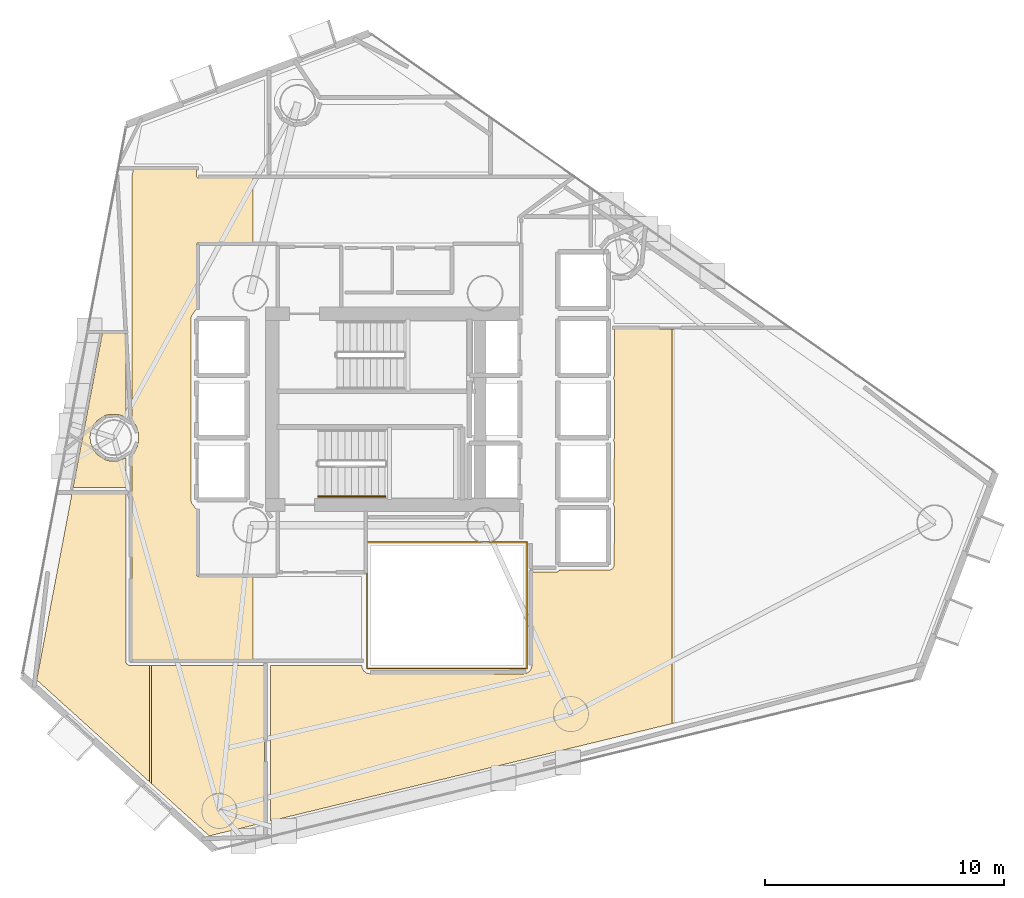
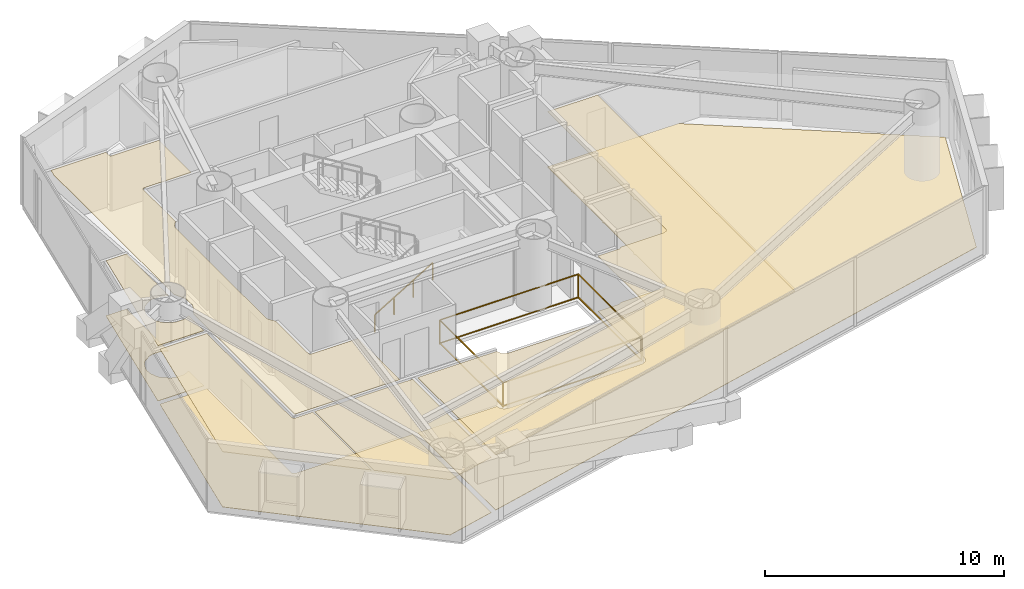
# One storey, part 22 of 24: 8 coverings, 2 railings.
"""IFC4 building model written with IfcOpenShell, lengths in metres."""

from ifc_helpers import new_model, si_unit, direction, frame, origin, origin_2d, place, context, subcontext, project, spatial, polyline, rectangle, outline, extrude, material, layer, layer_set, type_object, element, save


model = new_model("IFC4")

# Units and contexts
model_context = context("Model", 3, precision=1e-05, world=origin(), true_north=direction((0.0, 1.0)))
body_context = subcontext(model_context, "Body", "Model", "MODEL_VIEW")
ifc_project = project(units=[si_unit("LENGTHUNIT", "METRE"), si_unit("AREAUNIT", "SQUARE_METRE"), si_unit("VOLUMEUNIT", "CUBIC_METRE"), si_unit("PLANEANGLEUNIT", "RADIAN"), si_unit("MASSUNIT", "GRAM", prefix="KILO")], contexts=[model_context])

# Site, building, storey
site_placement = place(None, origin())
site = spatial("IfcSite", under=ifc_project, at=site_placement, CompositionType="ELEMENT")
building_placement = place(site_placement, origin())
building = spatial("IfcBuilding", under=site, at=building_placement, Name="Qianvela Tower", CompositionType="ELEMENT")
storey_placement = place(building_placement, frame((0.0, 0.0, 101.5)))
storey = spatial("IfcBuildingStorey", under=building, at=storey_placement, Name="L25", CompositionType="ELEMENT", Elevation=101.5)

# Coverings
ifc_material_1 = material(Name="Perforated Mineral Acoustic Ceiling Tile")
ifc_layer_1 = layer(ifc_material_1, 0.02490234375)
ifc_layer_set_1 = layer_set([ifc_layer_1], Name="Perforated Mineral Acoustic Ceiling Tile")
covering_type_1 = type_object("IfcCoveringType", Name="COV-CEIL-ACOUSTIC-25", PredefinedType="CEILING", material=ifc_layer_set_1)
covering_1_placement = place(storey_placement, frame((0.0, 0.0, 2.81494140625)))
element("IfcCovering", 1, at=covering_1_placement, inside=storey, type_object=covering_type_1, Name="L25 Acoustic Ceiling Bay 1 L25 Floor Corridor", PredefinedType="CEILING", context=body_context, shape_type="SweptSolid", body=[
    extrude(outline(polyline([(26.340087890625, 38.449951171875), (26.34033203125, 38.442138671875), (26.341552734375, 38.434326171875), (26.343505859375, 38.4267578125), (26.34619140625, 38.41943359375), (26.349365234375, 38.412353515625), (26.353515625, 38.405517578125), (26.358154296875, 38.399169921875), (26.36328125, 38.393310546875), (26.369140625, 38.38818359375), (26.37548828125, 38.383544921875), (26.38232421875, 38.37939453125), (26.389404296875, 38.376220703125), (26.396728515625, 38.373291015625), (26.404296875, 38.37158203125), (26.412109375, 38.370361328125), (26.419921875, 38.3701171875), (28.6923828125, 38.3701171875), (28.6923828125, 35.659912109375), (26.419921875, 35.659912109375), (26.412109375, 35.65966796875), (26.404296875, 35.658447265625), (26.396728515625, 35.656494140625), (26.389404296875, 35.65380859375), (26.38232421875, 35.650634765625), (26.37548828125, 35.646484375), (26.369140625, 35.641845703125), (26.36328125, 35.63671875), (26.358154296875, 35.630859375), (26.353515625, 35.62451171875), (26.349365234375, 35.61767578125), (26.34619140625, 35.610595703125), (26.343505859375, 35.603271484375), (26.341552734375, 35.595703125), (26.34033203125, 35.587890625), (26.340087890625, 35.580078125), (26.340087890625, 32.89599609375), (26.139404296875, 32.62548828125), (26.135498046875, 32.61962890625), (26.132080078125, 32.61376953125), (26.12939453125, 32.607421875), (26.126953125, 32.60107421875), (26.103515625, 32.523193359375), (26.1015625, 32.515625), (26.100341796875, 32.5078125), (26.10009765625, 32.5), (26.10009765625, 24.89990234375), (26.100341796875, 24.89208984375), (26.1015625, 24.884521484375), (26.103515625, 24.876708984375), (26.126953125, 24.799072265625), (26.12939453125, 24.79248046875), (26.132080078125, 24.786376953125), (26.135498046875, 24.7802734375), (26.139404296875, 24.774658203125), (26.340087890625, 24.50390625), (26.340087890625, 21.780029296875), (26.34033203125, 21.772216796875), (26.341552734375, 21.764404296875), (26.343505859375, 21.7568359375), (26.34619140625, 21.74951171875), (26.349365234375, 21.7421875), (26.353515625, 21.735595703125), (26.358154296875, 21.729248046875), (26.36328125, 21.723388671875), (26.369140625, 21.71826171875), (26.37548828125, 21.71337890625), (26.38232421875, 21.70947265625), (26.389404296875, 21.7060546875), (26.396728515625, 21.703369140625), (26.404296875, 21.701416015625), (26.412109375, 21.700439453125), (26.419921875, 21.699951171875), (28.6923828125, 21.699951171875), (28.6923828125, 18.22998046875), (23.6298828125, 18.22998046875), (23.6298828125, 26.705322265625), (23.8447265625, 27.107177734375), (23.84814453125, 27.1142578125), (23.8505859375, 27.12158203125), (23.906005859375, 27.303466796875), (23.90771484375, 27.311279296875), (23.908935546875, 27.31884765625), (23.909423828125, 27.326904296875), (23.909423828125, 27.705078125), (23.908935546875, 27.713134765625), (23.90771484375, 27.720703125), (23.906005859375, 27.728515625), (23.8505859375, 27.910400390625), (23.84814453125, 27.917724609375), (23.8447265625, 27.9248046875), (23.6298828125, 28.32666015625), (23.6298828125, 38.381103515625), (23.694091796875, 38.719970703125), (26.340087890625, 38.719970703125), (26.340087890625, 38.449951171875)])), origin(), (0.0, 0.0, 1.0), 0.025146484375),
])
covering_2_placement = place(storey_placement, frame((0.0, 0.0, 2.81494140625)))
element("IfcCovering", 2, at=covering_2_placement, inside=storey, type_object=covering_type_1, Name="L25 Acoustic Ceiling Bay 1 Floor Dining Kitchen L25-01", PredefinedType="CEILING", context=body_context, shape_type="SweptSolid", body=[
    extrude(outline(polyline([(23.39013671875, 25.177978515625), (23.39599609375, 18.119384765625), (23.396484375, 18.111572265625), (23.397705078125, 18.103759765625), (23.3994140625, 18.09619140625), (23.402099609375, 18.088623046875), (23.405517578125, 18.08154296875), (23.40966796875, 18.074951171875), (23.414306640625, 18.068603515625), (23.41943359375, 18.062744140625), (23.42529296875, 18.0576171875), (23.431640625, 18.052978515625), (23.505615234375, 18.00341796875), (23.51220703125, 17.99951171875), (23.519287109375, 17.99609375), (23.52685546875, 17.993408203125), (23.534423828125, 17.991455078125), (23.542236328125, 17.990478515625), (23.550048828125, 17.989990234375), (24.37158203125, 17.989990234375), (24.37158203125, 13.125), (19.655517578125, 17.38720703125), (21.130615234375, 25.177978515625), (23.39013671875, 25.177978515625)])), origin(), (0.0, 0.0, 1.0), 0.025146484375),
])
covering_3_placement = place(storey_placement, frame((0.0, 0.0, 2.81494140625)))
element("IfcCovering", 3, at=covering_3_placement, inside=storey, type_object=covering_type_1, Name="L25 Acoustic Ceiling Bay 2 Floor Dining Kitchen L25-01", PredefinedType="CEILING", context=body_context, shape_type="SweptSolid", body=[
    extrude(outline(polyline([(29.177978515625, 17.989990234375), (29.177978515625, 11.426513671875), (26.870361328125, 10.86669921875), (24.45166015625, 13.052734375), (24.45166015625, 17.989990234375), (29.177978515625, 17.989990234375)])), origin(), (0.0, 0.0, 1.0), 0.025146484375),
])
covering_4_placement = place(storey_placement, frame((0.0, 0.0, 2.81494140625)))
element("IfcCovering", 4, at=covering_4_placement, inside=storey, type_object=covering_type_1, Name="L25 Acoustic Ceiling Bay 1 Social Galley Kitchen L25-02", PredefinedType="CEILING", context=body_context, shape_type="SweptSolid", body=[
    extrude(outline(polyline([(33.252197265625, 17.912353515625), (33.25341796875, 17.904296875), (33.25537109375, 17.896240234375), (33.258056640625, 17.888427734375), (33.261474609375, 17.881103515625), (33.31298828125, 17.78466796875), (33.31689453125, 17.77783203125), (33.32177734375, 17.771484375), (33.326904296875, 17.765869140625), (33.332763671875, 17.760498046875), (33.417236328125, 17.691162109375), (33.42431640625, 17.68603515625), (33.431884765625, 17.681640625), (33.440185546875, 17.677978515625), (33.448486328125, 17.675537109375), (33.58056640625, 17.642333984375), (33.5869140625, 17.64111328125), (33.593505859375, 17.640380859375), (33.60009765625, 17.639892578125), (40.0, 17.639892578125), (40.0078125, 17.640380859375), (40.015625, 17.6416015625), (40.122802734375, 17.662841796875), (40.13037109375, 17.664794921875), (40.1376953125, 17.66748046875), (40.14501953125, 17.6708984375), (40.151611328125, 17.6748046875), (40.242431640625, 17.735595703125), (40.248779296875, 17.740234375), (40.254638671875, 17.745361328125), (40.259765625, 17.751220703125), (40.264404296875, 17.757568359375), (40.3251953125, 17.848388671875), (40.3291015625, 17.85498046875), (40.33251953125, 17.8623046875), (40.335205078125, 17.86962890625), (40.337158203125, 17.877197265625), (40.3583984375, 17.984375), (40.359619140625, 17.9921875), (40.360107421875, 18.0), (40.360107421875, 21.889892578125), (41.367919921875, 21.890380859375), (41.375732421875, 21.890869140625), (41.383544921875, 21.891845703125), (41.39111328125, 21.893798828125), (41.3984375, 21.896484375), (41.405517578125, 21.89990234375), (41.45947265625, 21.9287109375), (41.46630859375, 21.932861328125), (41.472900390625, 21.9375), (41.478759765625, 21.943115234375), (41.48388671875, 21.948974609375), (41.48876953125, 21.955322265625), (41.492919921875, 21.96240234375), (41.49609375, 21.969482421875), (41.498779296875, 21.97705078125), (41.49951171875, 21.97998046875), (43.59375, 21.980712890625), (43.6015625, 21.981201171875), (43.609375, 21.982177734375), (43.616943359375, 21.984130859375), (43.624267578125, 21.98681640625), (43.699462890625, 22.017822265625), (43.70703125, 22.021484375), (43.71435546875, 22.02587890625), (43.72119140625, 22.03125), (43.727294921875, 22.037109375), (43.732666015625, 22.043701171875), (43.7373046875, 22.05078125), (43.785888671875, 22.131591796875), (43.7900390625, 22.13916015625), (43.793212890625, 22.147216796875), (43.79541015625, 22.155517578125), (43.796875, 22.1640625), (43.79736328125, 22.172607421875), (43.800048828125, 24.599853515625), (43.7998046875, 24.606689453125), (43.798828125, 24.613525390625), (43.79736328125, 24.620361328125), (43.79541015625, 24.626953125), (43.763427734375, 24.7158203125), (43.760498046875, 24.722900390625), (43.7568359375, 24.72998046875), (43.75244140625, 24.736572265625), (43.74755859375, 24.742431640625), (43.741943359375, 24.748046875), (43.73583984375, 24.753173828125), (43.735107421875, 24.753662109375), (43.7783203125, 24.811767578125), (43.782958984375, 24.81884765625), (43.786865234375, 24.826416015625), (43.789794921875, 24.834228515625), (43.7919921875, 24.84228515625), (43.79345703125, 24.8505859375), (43.7939453125, 24.859130859375), (43.800048828125, 27.2998046875), (43.799560546875, 27.307861328125), (43.79833984375, 27.315673828125), (43.79638671875, 27.323486328125), (43.793701171875, 27.3310546875), (43.7646484375, 27.39990234375), (43.793701171875, 27.468994140625), (43.79638671875, 27.476318359375), (43.79833984375, 27.484130859375), (43.799560546875, 27.491943359375), (43.800048828125, 27.5), (43.800048828125, 29.89990234375), (43.799560546875, 29.907958984375), (43.79833984375, 29.915771484375), (43.79638671875, 29.923583984375), (43.793701171875, 29.93115234375), (43.7646484375, 30.0), (43.793701171875, 30.06884765625), (43.79638671875, 30.076416015625), (43.79833984375, 30.084228515625), (43.799560546875, 30.092041015625), (43.800048828125, 30.10009765625), (43.800048828125, 32.05810546875), (46.217529296875, 32.05810546875), (46.217529296875, 15.55908203125), (29.422119140625, 11.485595703125), (29.422119140625, 17.989990234375), (33.24609375, 17.989990234375), (33.252197265625, 17.912353515625)])), origin(), (0.0, 0.0, 1.0), 0.025146484375),
])
covering_5_placement = place(storey_placement, frame((0.0, 0.0, 2.81494140625)))
element("IfcCovering", 5, at=covering_5_placement, inside=storey, type_object=covering_type_1, Name="L25 Acoustic Ceiling Print Copy Kiosk L25-06", PredefinedType="CEILING", context=body_context, shape_type="SweptSolid", body=[
    extrude(outline(polyline([(23.390380859375, 26.675537109375), (23.389892578125, 25.422119140625), (21.1767578125, 25.422119140625), (22.39892578125, 31.8779296875), (23.389892578125, 31.8779296875), (23.390380859375, 28.3564453125), (23.086181640625, 28.482421875), (23.078857421875, 28.485107421875), (23.071044921875, 28.487060546875), (23.0634765625, 28.488037109375), (23.055419921875, 28.488525390625), (22.700439453125, 28.488525390625), (22.692626953125, 28.488037109375), (22.684814453125, 28.487060546875), (22.67724609375, 28.485107421875), (22.506591796875, 28.433349609375), (22.4990234375, 28.4306640625), (22.491943359375, 28.42724609375), (22.4853515625, 28.423095703125), (22.190185546875, 28.22607421875), (22.183837890625, 28.22119140625), (22.177978515625, 28.216064453125), (22.172607421875, 28.210205078125), (22.0595703125, 28.072265625), (22.0546875, 28.06591796875), (22.05078125, 28.059326171875), (22.047607421875, 28.05224609375), (21.91162109375, 27.72412109375), (21.908935546875, 27.716796875), (21.906982421875, 27.708984375), (21.906005859375, 27.701416015625), (21.888427734375, 27.523681640625), (21.887939453125, 27.51611328125), (21.888427734375, 27.50830078125), (21.906005859375, 27.33056640625), (21.906982421875, 27.322998046875), (21.908935546875, 27.315185546875), (21.91162109375, 27.307861328125), (22.047607421875, 26.979736328125), (22.05078125, 26.97265625), (22.0546875, 26.966064453125), (22.0595703125, 26.959716796875), (22.172607421875, 26.82177734375), (22.177978515625, 26.81591796875), (22.183837890625, 26.810791015625), (22.190185546875, 26.805908203125), (22.4853515625, 26.60888671875), (22.491943359375, 26.604736328125), (22.4990234375, 26.601318359375), (22.506591796875, 26.5986328125), (22.67724609375, 26.546875), (22.684814453125, 26.544921875), (22.692626953125, 26.5439453125), (22.700439453125, 26.54345703125), (23.055419921875, 26.54345703125), (23.0634765625, 26.5439453125), (23.071044921875, 26.544921875), (23.078857421875, 26.546875), (23.086181640625, 26.549560546875), (23.390380859375, 26.675537109375)])), origin(), (0.0, 0.0, 1.0), 0.025146484375),
])
ifc_material_2 = material(Name="Engineered Acoustic Oak Timber Flooring", Category="wood")
ifc_layer_2 = layer(ifc_material_2, 0.02001953125)
ifc_layer_set_2 = layer_set([ifc_layer_2], Name="Engineered Acoustic Oak Timber Flooring")
covering_type_2 = type_object("IfcCoveringType", Name="COV-FLOOR-OAK-20", PredefinedType="FLOORING", material=ifc_layer_set_2)
covering_6_placement = place(storey_placement, origin())
element("IfcCovering", 6, at=covering_6_placement, inside=storey, type_object=covering_type_2, Name="L25 Finish Flooring Floor Dining Kitchen L25-01", PredefinedType="FLOORING", context=body_context, shape_type="SweptSolid", body=[
    extrude(outline(polyline([(21.130615234375, 25.177978515625), (23.39013671875, 25.177978515625), (23.39599609375, 18.119384765625), (23.396484375, 18.111572265625), (23.397705078125, 18.103759765625), (23.3994140625, 18.09619140625), (23.402099609375, 18.088623046875), (23.405517578125, 18.08154296875), (23.40966796875, 18.074951171875), (23.414306640625, 18.068603515625), (23.41943359375, 18.062744140625), (23.42529296875, 18.0576171875), (23.431640625, 18.052978515625), (23.505615234375, 18.00341796875), (23.51220703125, 17.99951171875), (23.519287109375, 17.99609375), (23.52685546875, 17.993408203125), (23.534423828125, 17.991455078125), (23.542236328125, 17.990478515625), (23.550048828125, 17.989990234375), (29.177978515625, 17.989990234375), (29.177978515625, 11.426513671875), (26.870361328125, 10.86669921875), (19.655517578125, 17.38720703125), (21.130615234375, 25.177978515625)])), origin(), (0.0, 0.0, 1.0), 0.02001953125),
])
covering_7_placement = place(storey_placement, origin())
element("IfcCovering", 7, at=covering_7_placement, inside=storey, type_object=covering_type_2, Name="L25 Finish Flooring Social Galley Kitchen L25-02", PredefinedType="FLOORING", context=body_context, shape_type="SweptSolid", body=[
    extrude(outline(polyline([(33.24609375, 17.989990234375), (33.252197265625, 17.912353515625), (33.25341796875, 17.904296875), (33.25537109375, 17.896240234375), (33.258056640625, 17.888427734375), (33.261474609375, 17.881103515625), (33.31298828125, 17.78466796875), (33.31689453125, 17.77783203125), (33.32177734375, 17.771484375), (33.326904296875, 17.765869140625), (33.332763671875, 17.760498046875), (33.417236328125, 17.691162109375), (33.42431640625, 17.68603515625), (33.431884765625, 17.681640625), (33.440185546875, 17.677978515625), (33.448486328125, 17.675537109375), (33.58056640625, 17.642333984375), (33.5869140625, 17.64111328125), (33.593505859375, 17.640380859375), (33.60009765625, 17.639892578125), (40.0, 17.639892578125), (40.0078125, 17.640380859375), (40.015625, 17.6416015625), (40.122802734375, 17.662841796875), (40.13037109375, 17.664794921875), (40.1376953125, 17.66748046875), (40.14501953125, 17.6708984375), (40.151611328125, 17.6748046875), (40.242431640625, 17.735595703125), (40.248779296875, 17.740234375), (40.254638671875, 17.745361328125), (40.259765625, 17.751220703125), (40.264404296875, 17.757568359375), (40.3251953125, 17.848388671875), (40.3291015625, 17.85498046875), (40.33251953125, 17.8623046875), (40.335205078125, 17.86962890625), (40.337158203125, 17.877197265625), (40.3583984375, 17.984375), (40.359619140625, 17.9921875), (40.360107421875, 18.0), (40.360107421875, 21.889892578125), (41.367919921875, 21.890380859375), (41.375732421875, 21.890869140625), (41.383544921875, 21.891845703125), (41.39111328125, 21.893798828125), (41.3984375, 21.896484375), (41.405517578125, 21.89990234375), (41.45947265625, 21.9287109375), (41.46630859375, 21.932861328125), (41.472900390625, 21.9375), (41.478759765625, 21.943115234375), (41.48388671875, 21.948974609375), (41.48876953125, 21.955322265625), (41.492919921875, 21.96240234375), (41.49609375, 21.969482421875), (41.498779296875, 21.97705078125), (41.49951171875, 21.97998046875), (43.59375, 21.980712890625), (43.6015625, 21.981201171875), (43.609375, 21.982177734375), (43.616943359375, 21.984130859375), (43.624267578125, 21.98681640625), (43.699462890625, 22.017822265625), (43.70703125, 22.021484375), (43.71435546875, 22.02587890625), (43.72119140625, 22.03125), (43.727294921875, 22.037109375), (43.732666015625, 22.043701171875), (43.7373046875, 22.05078125), (43.785888671875, 22.131591796875), (43.7900390625, 22.13916015625), (43.793212890625, 22.147216796875), (43.79541015625, 22.155517578125), (43.796875, 22.1640625), (43.79736328125, 22.172607421875), (43.800048828125, 24.599853515625), (43.7998046875, 24.606689453125), (43.798828125, 24.613525390625), (43.79736328125, 24.620361328125), (43.79541015625, 24.626953125), (43.763427734375, 24.7158203125), (43.760498046875, 24.722900390625), (43.7568359375, 24.72998046875), (43.75244140625, 24.736572265625), (43.74755859375, 24.742431640625), (43.741943359375, 24.748046875), (43.73583984375, 24.753173828125), (43.735107421875, 24.753662109375), (43.7783203125, 24.811767578125), (43.782958984375, 24.81884765625), (43.786865234375, 24.826416015625), (43.789794921875, 24.834228515625), (43.7919921875, 24.84228515625), (43.79345703125, 24.8505859375), (43.7939453125, 24.859130859375), (43.800048828125, 27.2998046875), (43.799560546875, 27.307861328125), (43.79833984375, 27.315673828125), (43.79638671875, 27.323486328125), (43.793701171875, 27.3310546875), (43.7646484375, 27.39990234375), (43.793701171875, 27.468994140625), (43.79638671875, 27.476318359375), (43.79833984375, 27.484130859375), (43.799560546875, 27.491943359375), (43.800048828125, 27.5), (43.800048828125, 29.89990234375), (43.799560546875, 29.907958984375), (43.79833984375, 29.915771484375), (43.79638671875, 29.923583984375), (43.793701171875, 29.93115234375), (43.7646484375, 30.0), (43.793701171875, 30.06884765625), (43.79638671875, 30.076416015625), (43.79833984375, 30.084228515625), (43.799560546875, 30.092041015625), (43.800048828125, 30.10009765625), (43.800048828125, 32.05810546875), (50.105712890625, 32.05810546875), (59.275390625, 25.619873046875), (56.400390625, 18.02880859375), (29.422119140625, 11.485595703125), (29.422119140625, 17.989990234375), (33.24609375, 17.989990234375)])), origin(), (0.0, 0.0, 1.0), 0.02001953125),
])
covering_8_placement = place(storey_placement, origin())
element("IfcCovering", 8, at=covering_8_placement, inside=storey, type_object=covering_type_2, Name="L25 Finish Flooring Print Copy Kiosk L25-06", PredefinedType="FLOORING", context=body_context, shape_type="SweptSolid", body=[
    extrude(outline(polyline([(23.390380859375, 26.675537109375), (23.389892578125, 25.422119140625), (21.1767578125, 25.422119140625), (22.39892578125, 31.8779296875), (23.389892578125, 31.8779296875), (23.390380859375, 28.3564453125), (23.086181640625, 28.482421875), (23.078857421875, 28.485107421875), (23.071044921875, 28.487060546875), (23.0634765625, 28.488037109375), (23.055419921875, 28.488525390625), (22.700439453125, 28.488525390625), (22.692626953125, 28.488037109375), (22.684814453125, 28.487060546875), (22.67724609375, 28.485107421875), (22.506591796875, 28.433349609375), (22.4990234375, 28.4306640625), (22.491943359375, 28.42724609375), (22.4853515625, 28.423095703125), (22.190185546875, 28.22607421875), (22.183837890625, 28.22119140625), (22.177978515625, 28.216064453125), (22.172607421875, 28.210205078125), (22.0595703125, 28.072265625), (22.0546875, 28.06591796875), (22.05078125, 28.059326171875), (22.047607421875, 28.05224609375), (21.91162109375, 27.72412109375), (21.908935546875, 27.716796875), (21.906982421875, 27.708984375), (21.906005859375, 27.701416015625), (21.888427734375, 27.523681640625), (21.887939453125, 27.51611328125), (21.888427734375, 27.50830078125), (21.906005859375, 27.33056640625), (21.906982421875, 27.322998046875), (21.908935546875, 27.315185546875), (21.91162109375, 27.307861328125), (22.047607421875, 26.979736328125), (22.05078125, 26.97265625), (22.0546875, 26.966064453125), (22.0595703125, 26.959716796875), (22.172607421875, 26.82177734375), (22.177978515625, 26.81591796875), (22.183837890625, 26.810791015625), (22.190185546875, 26.805908203125), (22.4853515625, 26.60888671875), (22.491943359375, 26.604736328125), (22.4990234375, 26.601318359375), (22.506591796875, 26.5986328125), (22.67724609375, 26.546875), (22.684814453125, 26.544921875), (22.692626953125, 26.5439453125), (22.700439453125, 26.54345703125), (23.055419921875, 26.54345703125), (23.0634765625, 26.5439453125), (23.071044921875, 26.544921875), (23.078857421875, 26.546875), (23.086181640625, 26.549560546875), (23.390380859375, 26.675537109375)])), origin(), (0.0, 0.0, 1.0), 0.02001953125),
])

# Railings
ifc_material_3 = material(Name="Laminated Safety Glass and Stainless Steel 316", Category="steel")
railing_type_1 = type_object("IfcRailingType", Name="RL-ATRIUM-GUARD-1250", PredefinedType="GUARDRAIL", material=ifc_material_3)
railing_1_placement = place(storey_placement, frame((33.4599609375, 17.860107421875, 0.0)))
element("IfcRailing", 9, at=railing_1_placement, inside=storey, type_object=railing_type_1, Name="L25 Atrium Edge Guardrail 1", PredefinedType="GUARDRAIL", context=body_context, shape_type="SweptSolid", body=[
    extrude(rectangle(XDim=0.050048828125, YDim=0.0400390625, at=origin_2d()), frame((0.0, 0.0, 1.22998046875), z_axis=(0.0, 1.0, 0.0), x_axis=(-1.0, 0.0, 0.0)), (0.0, 0.0, 1.0), 5.27978515625),
    extrude(rectangle(XDim=0.050048828125, YDim=0.0400390625, at=origin_2d()), frame((0.0, 0.0, 0.050048828125), z_axis=(0.0, 1.0, 0.0), x_axis=(-1.0, 0.0, 0.0)), (0.0, 0.0, 1.0), 5.27978515625),
    extrude(rectangle(XDim=0.050048828125, YDim=0.0400390625, at=origin_2d()), frame((0.0, 5.27978515625, 1.22998046875), z_axis=(1.0, 0.0, 0.0), x_axis=(0.0, 1.0, 0.0)), (0.0, 0.0, 1.0), 6.679931640625),
    extrude(rectangle(XDim=0.050048828125, YDim=0.0400390625, at=origin_2d()), frame((0.0, 5.27978515625, 0.050048828125), z_axis=(1.0, 0.0, 0.0), x_axis=(0.0, 1.0, 0.0)), (0.0, 0.0, 1.0), 6.679931640625),
    extrude(rectangle(XDim=0.050048828125, YDim=0.0400390625, at=origin_2d()), frame((6.679931640625, 5.27978515625, 1.22998046875), z_axis=(0.0, -1.0, 0.0), x_axis=(1.0, 0.0, 0.0)), (0.0, 0.0, 1.0), 5.27978515625),
    extrude(rectangle(XDim=0.050048828125, YDim=0.0400390625, at=origin_2d()), frame((6.679931640625, 5.27978515625, 0.050048828125), z_axis=(0.0, -1.0, 0.0), x_axis=(1.0, 0.0, 0.0)), (0.0, 0.0, 1.0), 5.27978515625),
    extrude(rectangle(XDim=0.050048828125, YDim=0.0400390625, at=origin_2d()), frame((6.679931640625, 0.0, 1.22998046875), z_axis=(-1.0, 0.0, 0.0), x_axis=(0.0, -1.0, 0.0)), (0.0, 0.0, 1.0), 6.679931640625),
    extrude(rectangle(XDim=0.050048828125, YDim=0.0400390625, at=origin_2d()), frame((6.679931640625, 0.0, 0.050048828125), z_axis=(-1.0, 0.0, 0.0), x_axis=(0.0, -1.0, 0.0)), (0.0, 0.0, 1.0), 6.679931640625),
    extrude(rectangle(XDim=0.050048828125, YDim=0.050048828125, at=origin_2d()), origin(), (0.0, 0.0, 1.0), 1.2099609375),
    extrude(rectangle(XDim=0.050048828125, YDim=0.050048828125, at=origin_2d()), frame((0.0, 5.27978515625, 0.0)), (0.0, 0.0, 1.0), 1.2099609375),
    extrude(rectangle(XDim=0.050048828125, YDim=0.050048828125, at=origin_2d()), frame((6.679931640625, 5.27978515625, 0.0)), (0.0, 0.0, 1.0), 1.2099609375),
    extrude(rectangle(XDim=0.050048828125, YDim=0.050048828125, at=origin_2d()), frame((6.679931640625, 0.0, 0.0)), (0.0, 0.0, 1.0), 1.2099609375),
])
ifc_material_4 = material(Name="Brushed Stainless Steel 304", Category="steel")
railing_type_2 = type_object("IfcRailingType", Name="RL-STAIR-HANDRAIL-900", PredefinedType="HANDRAIL", material=ifc_material_4)
railing_2_placement = place(storey_placement, frame((31.419921875, 25.050048828125, 0.168212890625)))
element("IfcRailing", 10, at=railing_2_placement, inside=storey, type_object=railing_type_2, Name="L25 ST-2 stair handrail 1", PredefinedType="HANDRAIL", context=body_context, shape_type="SweptSolid", body=[
    extrude(rectangle(XDim=0.050048828125, YDim=0.0400390625, at=origin_2d()), frame((0.0, 0.0, 0.8798828125), z_axis=(0.857242210791, 0.0, 0.514913383045), x_axis=(0.0, 1.0, 0.0)), (0.0, 0.0, 1.0), 3.266357421875),
    extrude(rectangle(XDim=0.050048828125, YDim=0.050048828125, at=origin_2d()), origin(), (0.0, 0.0, 1.0), 0.85986328125),
    extrude(rectangle(XDim=0.050048828125, YDim=0.050048828125, at=origin_2d()), frame((0.933349609375, 0.0, 0.560546875)), (0.0, 0.0, 1.0), 0.85986328125),
    extrude(rectangle(XDim=0.050048828125, YDim=0.050048828125, at=origin_2d()), frame((1.86669921875, 0.0, 1.121337890625)), (0.0, 0.0, 1.0), 0.85986328125),
    extrude(rectangle(XDim=0.050048828125, YDim=0.050048828125, at=origin_2d()), frame((2.800048828125, 0.0, 1.681884765625)), (0.0, 0.0, 1.0), 0.85986328125),
])

save(model, "model.ifc")
